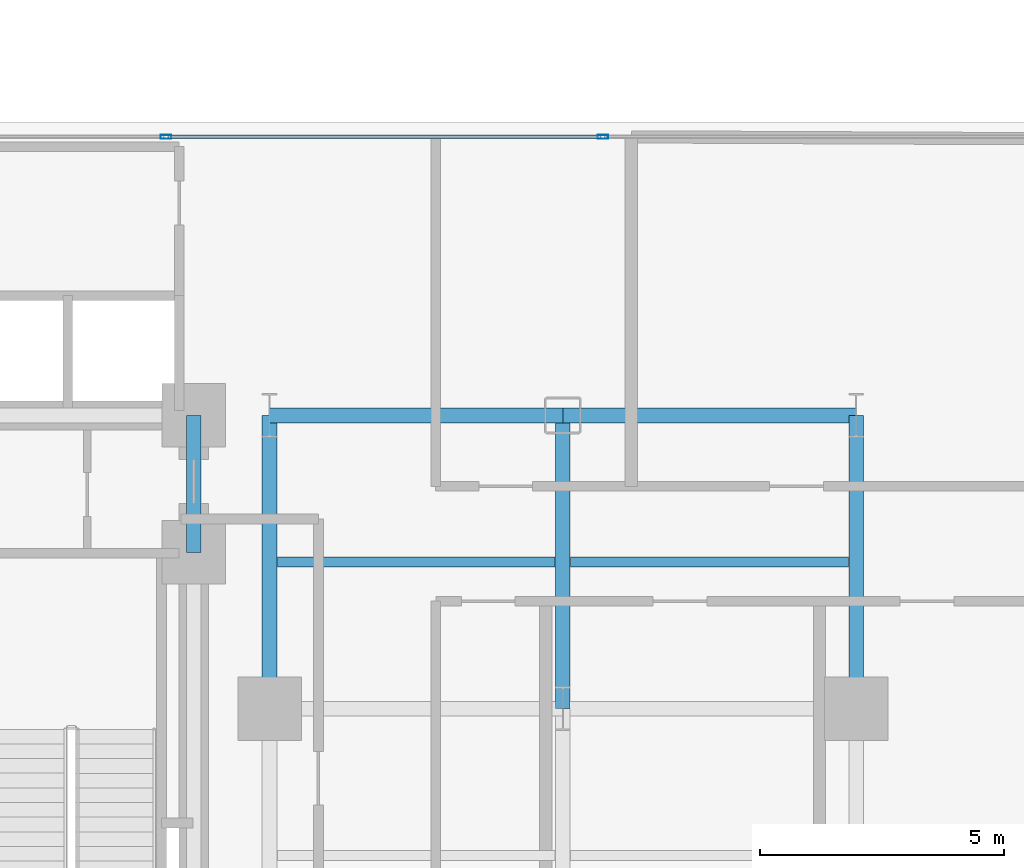
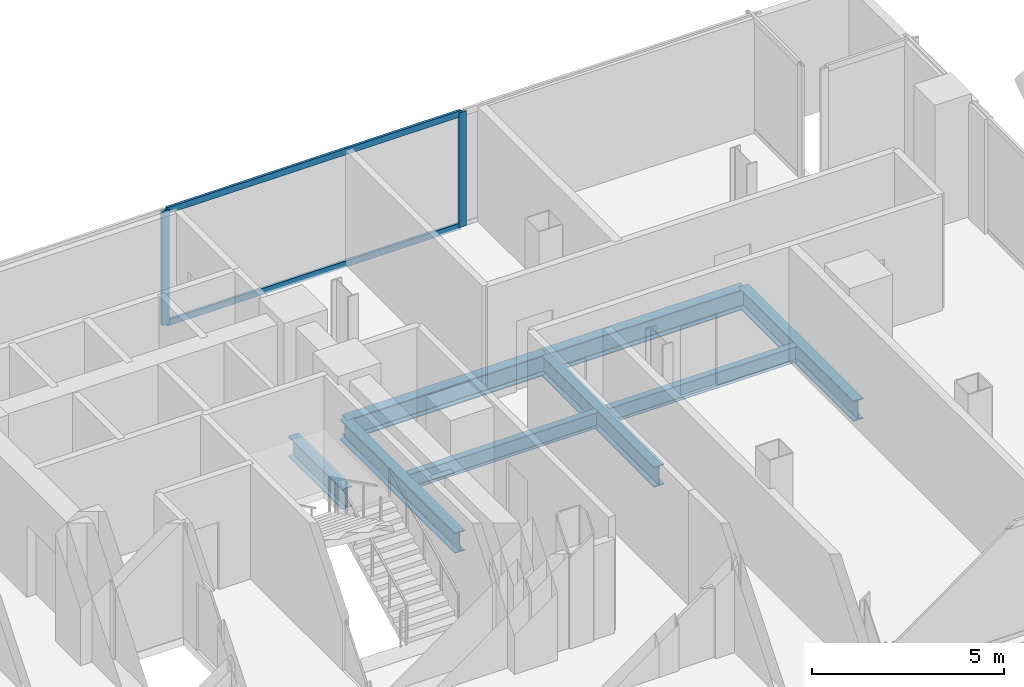
# One storey, part 11 of 25: 8 beams, 4 members, 1 element without a shape of its own.
"""IFC4 building model written with IfcOpenShell, lengths in metres."""

from ifc_helpers import new_model, si_unit, direction, frame, origin, origin_2d, place, context, subcontext, project, spatial, hollow_rectangle, i_section, extrude, material, layer, layer_set, material_profile, profile_set, type_object, element, aggregate, save


model = new_model("IFC4")

# Units and contexts
model_context = context("Model", 3, precision=1e-05, world=origin(), true_north=direction((0.0, 1.0)))
body_context = subcontext(model_context, "Body", "Model", "MODEL_VIEW")
ifc_project = project(units=[si_unit("LENGTHUNIT", "METRE"), si_unit("AREAUNIT", "SQUARE_METRE"), si_unit("VOLUMEUNIT", "CUBIC_METRE"), si_unit("PLANEANGLEUNIT", "RADIAN"), si_unit("MASSUNIT", "GRAM", prefix="KILO"), si_unit("THERMODYNAMICTEMPERATUREUNIT", "KELVIN"), si_unit("POWERUNIT", "WATT")], contexts=[model_context])

# Site, building, storey
site_placement = place(None, origin())
site = spatial("IfcSite", under=ifc_project, at=site_placement, CompositionType="ELEMENT")
building_placement = place(site_placement, origin())
building = spatial("IfcBuilding", under=site, at=building_placement, Name="Svarakhadi Broadcast Tower", CompositionType="ELEMENT")
storey_placement = place(building_placement, frame((0.0, 0.0, 83.10009765625)))
storey = spatial("IfcBuildingStorey", under=building, at=storey_placement, Name="L19", CompositionType="ELEMENT", Elevation=83.10009765625)

# Beams
ifc_material_1 = material(Name="Steel S355J2 (IS 2062 E350C)", Category="steel")
ifc_material_profile_1 = material_profile(ifc_material_1, i_section(OverallWidth=0.199951171875, OverallDepth=0.5, WebThickness=0.01025390625, FlangeThickness=0.01611328125, FilletRadius=0.02099609375, at=origin_2d()), Name="NPB 500x200x91")
ifc_profile_set_1 = profile_set([ifc_material_profile_1], Name="Steel S355J2 (IS 2062 E350C)")
beam_type_1 = type_object("IfcBeamType", Name="Beam_NPB500", PredefinedType="BEAM", material=ifc_profile_set_1)
for number, where, z_axis, x_axis, name in (
    (1, (35.31005859375, 15.0, -0.5), (1.0, 0.0, 0.0), (0.0, 1.0, 0.0), "L19 Secondary Composite Beam SB024"),
    (2, (41.31005859375, 15.0, -0.5), (1.0, 0.0, 0.0), (0.0, 1.0, 0.0), "L19 Secondary Composite Beam SB027"),
):
    element("IfcBeam", number, at=place(storey_placement, frame(where, z_axis=z_axis, x_axis=x_axis)), inside=storey, type_object=beam_type_1, Name=name, PredefinedType="BEAM", context=body_context, shape_type="SweptSolid", body=[
        extrude(i_section(OverallWidth=0.199951171875, OverallDepth=0.5, WebThickness=0.01025390625, FlangeThickness=0.01611328125, FilletRadius=0.02099609375, at=origin_2d()), origin(), (0.0, 0.0, 1.0), 5.679931640625),
    ])

# Curtain wall, members
ifc_material_2 = material(Name="Anodised Bronze Aluminium AA 6063-T6", Category="aluminium")
ifc_layer = layer(ifc_material_2, 0.219970703125)
ifc_layer_set = layer_set([ifc_layer], Name="Anodised Bronze Aluminium AA 6063-T6")
curtain_wall_type = type_object("IfcCurtainWallType", Name="CW_Sys_02", PredefinedType="NOTDEFINED", material=ifc_layer_set)
curtain_wall_placement = place(storey_placement, origin())
curtain_wall = element("IfcCurtainWall", 3, at=curtain_wall_placement, inside=storey, type_object=curtain_wall_type, Name="L19 Unitised Facade Curtain Wall 10", PredefinedType="NOTDEFINED")
ifc_material_profile_2 = material_profile(ifc_material_2, hollow_rectangle(XDim=0.0849609375, YDim=0.219970703125, WallThickness=0.006103515625, at=origin_2d()), Name="ALU MULLION 220x85x6")
ifc_profile_set_2 = profile_set([ifc_material_profile_2], Name="Anodised Bronze Aluminium AA 6063-T6")
member_type_1 = type_object("IfcMemberType", Name="CW_Sys_02_Mul", PredefinedType="MULLION", material=ifc_profile_set_2)
member_1_placement = place(storey_placement, frame((33.030029296875, 23.699951171875, 0.0), z_axis=(0.0, 0.0, 1.0), x_axis=(0.0, 1.0, 0.0)))
member_1 = element("IfcMember", 4, at=member_1_placement, type_object=member_type_1, Name="CW-02 mullion 2", PredefinedType="MULLION", context=body_context, shape_type="SweptSolid", body=[
    extrude(hollow_rectangle(XDim=0.0849609375, YDim=0.219970703125, WallThickness=0.006103515625, at=origin_2d()), origin(), (0.0, 0.0, 1.0), 3.64990234375),
])
member_2_placement = place(storey_placement, frame((41.969970703125, 23.699951171875, 0.0), z_axis=(0.0, 0.0, 1.0), x_axis=(0.0, 1.0, 0.0)))
member_2 = element("IfcMember", 5, at=member_2_placement, type_object=member_type_1, Name="CW-02 mullion 3", PredefinedType="MULLION", context=body_context, shape_type="SweptSolid", body=[
    extrude(hollow_rectangle(XDim=0.0849609375, YDim=0.219970703125, WallThickness=0.006103515625, at=origin_2d()), origin(), (0.0, 0.0, 1.0), 3.64990234375),
])
ifc_material_profile_3 = material_profile(ifc_material_2, hollow_rectangle(XDim=0.074951171875, YDim=0.199951171875, WallThickness=0.0048828125, at=origin_2d()), Name="ALU TRANSOM 200x75x5")
ifc_profile_set_3 = profile_set([ifc_material_profile_3], Name="Anodised Bronze Aluminium AA 6063-T6")
member_type_2 = type_object("IfcMemberType", Name="CW_Sys_02_Trn", PredefinedType="USERDEFINED", material=ifc_profile_set_3)
member_3_placement = place(storey_placement, frame((33.072509765625, 23.699951171875, 0.037353515625), z_axis=(1.0, 0.0, 0.0), x_axis=(0.0, 1.0, 0.0)))
member_3 = element("IfcMember", 6, at=member_3_placement, type_object=member_type_2, Name="CW-02 transom 2.1", ObjectType="TRANSOM", PredefinedType="USERDEFINED", context=body_context, shape_type="SweptSolid", body=[
    extrude(hollow_rectangle(XDim=0.074951171875, YDim=0.199951171875, WallThickness=0.0048828125, at=origin_2d()), origin(), (0.0, 0.0, 1.0), 8.85498046875),
])
member_4_placement = place(storey_placement, frame((33.072509765625, 23.699951171875, 3.6123046875), z_axis=(1.0, 0.0, 0.0), x_axis=(0.0, 1.0, 0.0)))
member_4 = element("IfcMember", 7, at=member_4_placement, type_object=member_type_2, Name="CW-02 transom 2.2", ObjectType="TRANSOM", PredefinedType="USERDEFINED", context=body_context, shape_type="SweptSolid", body=[
    extrude(hollow_rectangle(XDim=0.074951171875, YDim=0.199951171875, WallThickness=0.0048828125, at=origin_2d()), origin(), (0.0, 0.0, 1.0), 8.85498046875),
])
aggregate(curtain_wall, [member_1, member_2, member_3, member_4])

# Beams
ifc_material_profile_4 = material_profile(ifc_material_1, i_section(OverallWidth=0.300048828125, OverallDepth=0.64990234375, WebThickness=0.01611328125, FlangeThickness=0.031005859375, FilletRadius=0.027099609375, at=origin_2d()), Name="WPB 650x300x225")
ifc_profile_set_4 = profile_set([ifc_material_profile_4], Name="Steel S355J2 (IS 2062 E350C)")
beam_type_2 = type_object("IfcBeamType", Name="Girder_WPB650", PredefinedType="USERDEFINED", material=ifc_profile_set_4)
for number, where, z_axis, x_axis, name in (
    (8, (35.14990234375, 18.0, -0.5751953125), (1.0, 0.0, 0.0), (0.0, 1.0, 0.0), "L19 Primary E-W Girder G030"),
    (9, (41.14990234375, 18.0, -0.5751953125), (1.0, 0.0, 0.0), (0.0, 1.0, 0.0), "L19 Primary E-W Girder G031"),
):
    element("IfcBeam", number, at=place(storey_placement, frame(where, z_axis=z_axis, x_axis=x_axis)), inside=storey, type_object=beam_type_2, Name=name, ObjectType="GIRDER", PredefinedType="USERDEFINED", context=body_context, shape_type="SweptSolid", body=[
        extrude(i_section(OverallWidth=0.300048828125, OverallDepth=0.64990234375, WebThickness=0.01611328125, FlangeThickness=0.031005859375, FilletRadius=0.027099609375, at=origin_2d()), origin(), (0.0, 0.0, 1.0), 6.0),
    ])
beam_placement = place(storey_placement, frame((33.60009765625, 15.199951171875, -0.5751953125), z_axis=(0.0, 1.0, 0.0), x_axis=(-1.0, 0.0, 0.0)))
element("IfcBeam", 10, at=beam_placement, inside=storey, type_object=beam_type_2, Name="L19 Primary N-S Girder G075", ObjectType="GIRDER", PredefinedType="USERDEFINED", context=body_context, shape_type="SweptSolid", body=[
    extrude(i_section(OverallWidth=0.300048828125, OverallDepth=0.64990234375, WebThickness=0.01611328125, FlangeThickness=0.031005859375, FilletRadius=0.027099609375, at=origin_2d()), origin(), (0.0, 0.0, 1.0), 2.800048828125),
])
for number, where, z_axis, x_axis, name in (
    (11, (35.14990234375, 12.0, -0.5751953125), (0.0, 1.0, 0.0), (-1.0, 0.0, 0.0), "L19 Primary N-S Girder G078"),
    (12, (41.14990234375, 12.0, -0.5751953125), (0.0, 1.0, 0.0), (-1.0, 0.0, 0.0), "L19 Primary N-S Girder G081"),
    (13, (47.14990234375, 12.0, -0.5751953125), (0.0, 1.0, 0.0), (-1.0, 0.0, 0.0), "L19 Primary N-S Girder G084"),
):
    element("IfcBeam", number, at=place(storey_placement, frame(where, z_axis=z_axis, x_axis=x_axis)), inside=storey, type_object=beam_type_2, Name=name, ObjectType="GIRDER", PredefinedType="USERDEFINED", context=body_context, shape_type="SweptSolid", body=[
        extrude(i_section(OverallWidth=0.300048828125, OverallDepth=0.64990234375, WebThickness=0.01611328125, FlangeThickness=0.031005859375, FilletRadius=0.027099609375, at=origin_2d()), origin(), (0.0, 0.0, 1.0), 6.0),
    ])

save(model, "model.ifc")
